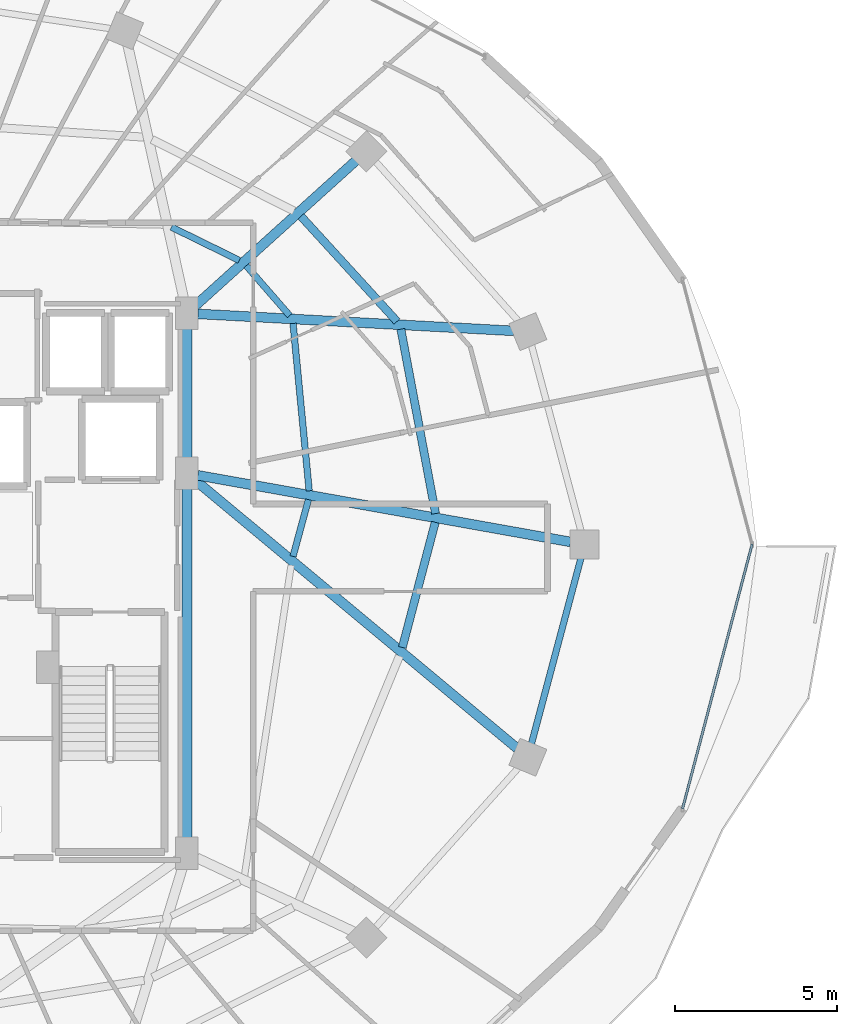
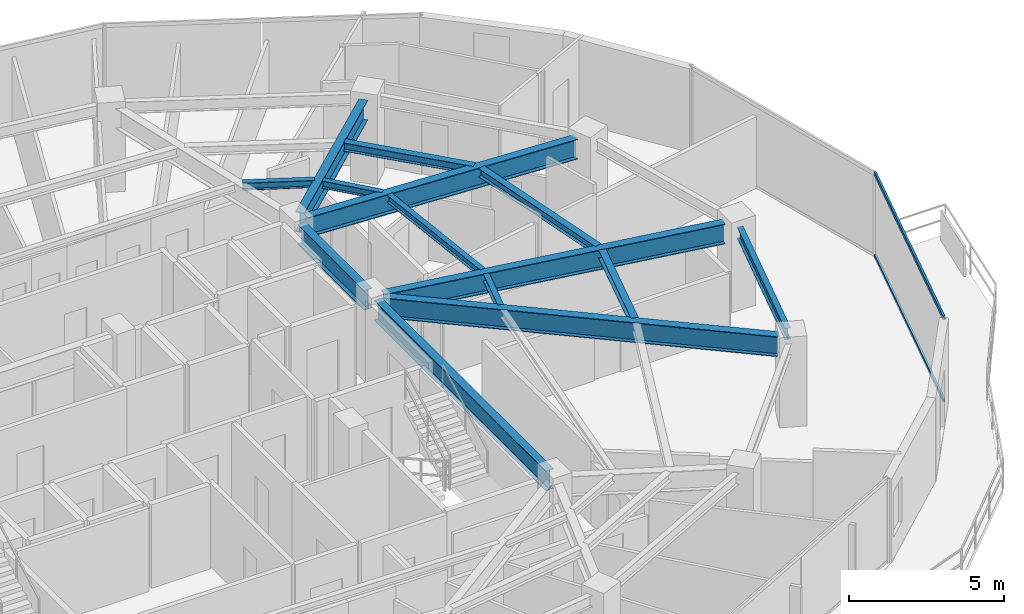
# One storey, part 14 of 34: 14 beams, 2 members, 1 element without a shape of its own.
"""IFC4 building model written with IfcOpenShell, lengths in metres."""

from ifc_helpers import new_model, si_unit, direction, frame, origin, origin_2d, place, context, subcontext, project, spatial, hollow_rectangle, i_section, extrude, material, material_profile, profile_set, type_object, element, aggregate, save


model = new_model("IFC4")

# Units and contexts
model_context = context("Model", 3, precision=1e-05, world=origin(), true_north=direction((0.0, 1.0)))
body_context = subcontext(model_context, "Body", "Model", "MODEL_VIEW")
ifc_project = project(units=[si_unit("LENGTHUNIT", "METRE"), si_unit("AREAUNIT", "SQUARE_METRE"), si_unit("VOLUMEUNIT", "CUBIC_METRE"), si_unit("PLANEANGLEUNIT", "RADIAN"), si_unit("MASSUNIT", "GRAM", prefix="KILO")], contexts=[model_context])

# Site, building, storey
site_placement = place(None, origin())
site = spatial("IfcSite", under=ifc_project, at=site_placement, CompositionType="ELEMENT")
building_placement = place(site_placement, origin())
building = spatial("IfcBuilding", under=site, at=building_placement, Name="Vorneva Point Tower", CompositionType="ELEMENT")
storey_placement = place(building_placement, frame((0.0, 0.0, 210.75)))
storey = spatial("IfcBuildingStorey", under=building, at=storey_placement, Name="L57", CompositionType="ELEMENT", Elevation=210.75)

# Beams
ifc_material_1 = material(Name="Steel S355", Category="steel")
ifc_material_profile_1 = material_profile(ifc_material_1, i_section(OverallWidth=0.300048828125, OverallDepth=0.7880859375, WebThickness=0.014404296875, FlangeThickness=0.02197265625, at=origin_2d()), Name="80Sh1")
ifc_profile_set_1 = profile_set([ifc_material_profile_1], Name="Steel S355")
beam_type_1 = type_object("IfcBeamType", Name="BM-GRD-80Sh1", PredefinedType="USERDEFINED", material=ifc_profile_set_1)
beam_1_placement = place(storey_placement, frame((60.618896484375, 26.0771484375, 2.89599609375), z_axis=(-0.984378602255, 0.176064668298, 0.0), x_axis=(-0.176064668298, -0.984378602255, 0.0)))
element("IfcBeam", 1, at=beam_1_placement, inside=storey, type_object=beam_type_1, Name="L57 Radial Primary Girder 01", ObjectType="GIRDER", PredefinedType="USERDEFINED", context=body_context, shape_type="SweptSolid", body=[
    extrude(i_section(OverallWidth=0.300048828125, OverallDepth=0.7880859375, WebThickness=0.014404296875, FlangeThickness=0.02197265625, at=origin_2d()), origin(), (0.0, 0.0, 1.0), 11.71728515625),
])
beam_2_placement = place(storey_placement, frame((58.85791015625, 32.605712890625, 2.89599609375), z_axis=(-0.998554028182, 0.053757351146, 0.0), x_axis=(-0.053757351146, -0.998554028182, 0.0)))
element("IfcBeam", 2, at=beam_2_placement, inside=storey, type_object=beam_type_1, Name="L57 Radial Primary Girder 02", ObjectType="GIRDER", PredefinedType="USERDEFINED", context=body_context, shape_type="SweptSolid", body=[
    extrude(i_section(OverallWidth=0.300048828125, OverallDepth=0.7880859375, WebThickness=0.014404296875, FlangeThickness=0.02197265625, at=origin_2d()), origin(), (0.0, 0.0, 1.0), 9.782470703125),
])
beam_3_placement = place(storey_placement, frame((53.973876953125, 37.86865234375, 2.89599609375), z_axis=(-0.742089778537, -0.670300500217, 0.0), x_axis=(0.670300500217, -0.742089778537, 0.0)))
element("IfcBeam", 3, at=beam_3_placement, inside=storey, type_object=beam_type_1, Name="L57 Radial Primary Girder 03", ObjectType="GIRDER", PredefinedType="USERDEFINED", context=body_context, shape_type="SweptSolid", body=[
    extrude(i_section(OverallWidth=0.300048828125, OverallDepth=0.7880859375, WebThickness=0.014404296875, FlangeThickness=0.02197265625, at=origin_2d()), origin(), (0.0, 0.0, 1.0), 6.699462890625),
])
beam_4_placement = place(storey_placement, frame((58.958740234375, 19.697998046875, 2.89599609375), z_axis=(-0.768417564517, 0.639948784311, 0.0), x_axis=(-0.639948784311, -0.768417564517, 0.0)))
element("IfcBeam", 4, at=beam_4_placement, inside=storey, type_object=beam_type_1, Name="L57 Radial Primary Girder 16", ObjectType="GIRDER", PredefinedType="USERDEFINED", context=body_context, shape_type="SweptSolid", body=[
    extrude(i_section(OverallWidth=0.300048828125, OverallDepth=0.7880859375, WebThickness=0.014404296875, FlangeThickness=0.02197265625, at=origin_2d()), origin(), (0.0, 0.0, 1.0), 12.945556640625),
])
beam_5_placement = place(storey_placement, frame((48.75, 16.77001953125, 2.89599609375), z_axis=(0.0, 1.0, 0.0), x_axis=(-1.0, 0.0, 0.0)))
element("IfcBeam", 5, at=beam_5_placement, inside=storey, type_object=beam_type_1, Name="L57 Core Tie Girder CT3", ObjectType="GIRDER", PredefinedType="USERDEFINED", context=body_context, shape_type="SweptSolid", body=[
    extrude(i_section(OverallWidth=0.300048828125, OverallDepth=0.7880859375, WebThickness=0.014404296875, FlangeThickness=0.02197265625, at=origin_2d()), origin(), (0.0, 0.0, 1.0), 11.10986328125),
])
beam_6_placement = place(storey_placement, frame((48.75, 28.52001953125, 2.89599609375), z_axis=(0.0, 1.0, 0.0), x_axis=(-1.0, 0.0, 0.0)))
element("IfcBeam", 6, at=beam_6_placement, inside=storey, type_object=beam_type_1, Name="L57 Core Tie Girder CT4", ObjectType="GIRDER", PredefinedType="USERDEFINED", context=body_context, shape_type="SweptSolid", body=[
    extrude(i_section(OverallWidth=0.300048828125, OverallDepth=0.7880859375, WebThickness=0.014404296875, FlangeThickness=0.02197265625, at=origin_2d()), origin(), (0.0, 0.0, 1.0), 4.31005859375),
])
ifc_material_profile_2 = material_profile(ifc_material_1, i_section(OverallWidth=0.199951171875, OverallDepth=0.291015625, WebThickness=0.008056640625, FlangeThickness=0.010986328125, at=origin_2d()), Name="30Sh1")
ifc_profile_set_2 = profile_set([ifc_material_profile_2], Name="Steel S355")
beam_type_2 = type_object("IfcBeamType", Name="BM-SEC-30Sh1", PredefinedType="BEAM", material=ifc_profile_set_2)
beam_7_placement = place(storey_placement, frame((52.53173828125, 27.65869140625, 3.14453125), z_axis=(-0.095841188908, 0.995396637783, 0.0), x_axis=(-0.995396637783, -0.095841188908, 0.0)))
element("IfcBeam", 7, at=beam_7_placement, inside=storey, type_object=beam_type_2, Name="L57 Secondary Floor Beam 2.01", PredefinedType="BEAM", context=body_context, shape_type="SweptSolid", body=[
    extrude(i_section(OverallWidth=0.199951171875, OverallDepth=0.291015625, WebThickness=0.008056640625, FlangeThickness=0.010986328125, at=origin_2d()), origin(), (0.0, 0.0, 1.0), 5.20166015625),
])
beam_8_placement = place(storey_placement, frame((51.929443359375, 33.077880859375, 3.14453125), z_axis=(-0.657025730744, 0.753868151032, 0.0), x_axis=(-0.753868151032, -0.657025730744, 0.0)))
element("IfcBeam", 8, at=beam_8_placement, inside=storey, type_object=beam_type_2, Name="L57 Secondary Floor Beam 2.02", PredefinedType="BEAM", context=body_context, shape_type="SweptSolid", body=[
    extrude(i_section(OverallWidth=0.199951171875, OverallDepth=0.291015625, WebThickness=0.008056640625, FlangeThickness=0.010986328125, at=origin_2d()), origin(), (0.0, 0.0, 1.0), 2.047119140625),
])
beam_9_placement = place(storey_placement, frame((50.369873046875, 34.785888671875, 3.14453125), z_axis=(-0.897704429199, 0.440598181789, 0.0), x_axis=(-0.440598181789, -0.897704429199, 0.0)))
element("IfcBeam", 9, at=beam_9_placement, inside=storey, type_object=beam_type_2, Name="L57 Secondary Floor Beam 2.03", PredefinedType="BEAM", context=body_context, shape_type="SweptSolid", body=[
    extrude(i_section(OverallWidth=0.199951171875, OverallDepth=0.291015625, WebThickness=0.008056640625, FlangeThickness=0.010986328125, at=origin_2d()), origin(), (0.0, 0.0, 1.0), 2.336669921875),
])
beam_10_placement = place(storey_placement, frame((52.03173828125, 25.63037109375, 3.14453125), z_axis=(0.261948847975, 0.965081758736, 0.0), x_axis=(-0.965081758736, 0.261948847975, 0.0)))
element("IfcBeam", 10, at=beam_10_placement, inside=storey, type_object=beam_type_2, Name="L57 Secondary Floor Beam 2.16", PredefinedType="BEAM", context=body_context, shape_type="SweptSolid", body=[
    extrude(i_section(OverallWidth=0.199951171875, OverallDepth=0.291015625, WebThickness=0.008056640625, FlangeThickness=0.010986328125, at=origin_2d()), origin(), (0.0, 0.0, 1.0), 1.821044921875),
])
ifc_material_profile_3 = material_profile(ifc_material_1, i_section(OverallWidth=0.2490234375, OverallDepth=0.333984375, WebThickness=0.008056640625, FlangeThickness=0.010986328125, at=origin_2d()), Name="35Sh1")
ifc_profile_set_3 = profile_set([ifc_material_profile_3], Name="Steel S355")
beam_type_3 = type_object("IfcBeamType", Name="BM-SEC-35Sh1", PredefinedType="BEAM", material=ifc_profile_set_3)
beam_11_placement = place(storey_placement, frame((56.44091796875, 26.955322265625, 3.123046875), z_axis=(-0.1850300408, 0.982732865026, 0.0), x_axis=(-0.982732865026, -0.1850300408, 0.0)))
element("IfcBeam", 11, at=beam_11_placement, inside=storey, type_object=beam_type_3, Name="L57 Secondary Floor Beam 1.01", PredefinedType="BEAM", context=body_context, shape_type="SweptSolid", body=[
    extrude(i_section(OverallWidth=0.2490234375, OverallDepth=0.333984375, WebThickness=0.008056640625, FlangeThickness=0.010986328125, at=origin_2d()), origin(), (0.0, 0.0, 1.0), 5.804443359375),
])
beam_12_placement = place(storey_placement, frame((55.248291015625, 32.89697265625, 3.123046875), z_axis=(-0.674381040012, 0.738383513407, 0.0), x_axis=(-0.738383513407, -0.674381040012, 0.0)))
element("IfcBeam", 12, at=beam_12_placement, inside=storey, type_object=beam_type_3, Name="L57 Secondary Floor Beam 1.02", PredefinedType="BEAM", context=body_context, shape_type="SweptSolid", body=[
    extrude(i_section(OverallWidth=0.2490234375, OverallDepth=0.333984375, WebThickness=0.008056640625, FlangeThickness=0.010986328125, at=origin_2d()), origin(), (0.0, 0.0, 1.0), 4.40576171875),
])
beam_13_placement = place(storey_placement, frame((55.412841796875, 22.81396484375, 3.123046875), z_axis=(0.254382249657, 0.96710375403, 0.0), x_axis=(-0.96710375403, 0.254382249657, 0.0)))
element("IfcBeam", 13, at=beam_13_placement, inside=storey, type_object=beam_type_3, Name="L57 Secondary Floor Beam 1.16", PredefinedType="BEAM", context=body_context, shape_type="SweptSolid", body=[
    extrude(i_section(OverallWidth=0.2490234375, OverallDepth=0.333984375, WebThickness=0.008056640625, FlangeThickness=0.010986328125, at=origin_2d()), origin(), (0.0, 0.0, 1.0), 4.004150390625),
])
ifc_material_profile_4 = material_profile(ifc_material_1, i_section(OverallWidth=0.198974609375, OverallDepth=0.446044921875, WebThickness=0.008056640625, FlangeThickness=0.011962890625, at=origin_2d()), Name="45B1")
ifc_profile_set_4 = profile_set([ifc_material_profile_4], Name="Steel S355")
beam_type_4 = type_object("IfcBeamType", Name="BM-SPN-45B1", PredefinedType="SPANDREL", material=ifc_profile_set_4)
beam_14_placement = place(storey_placement, frame((59.407470703125, 19.838134765625, 3.06689453125), z_axis=(0.257578258003, 0.966257440336, 0.0), x_axis=(-0.966257440336, 0.257578258003, 0.0)))
element("IfcBeam", 14, at=beam_14_placement, inside=storey, type_object=beam_type_4, Name="L57 Perimeter Spandrel Ring Beam 16", PredefinedType="SPANDREL", context=body_context, shape_type="SweptSolid", body=[
    extrude(i_section(OverallWidth=0.198974609375, OverallDepth=0.446044921875, WebThickness=0.008056640625, FlangeThickness=0.011962890625, at=origin_2d()), origin(), (0.0, 0.0, 1.0), 5.94189453125),
])

# Curtain wall, members
ifc_material_2 = material(Name="Pale anodised aluminium", Category="aluminium")
curtain_wall_type = type_object("IfcCurtainWallType", Name="CW-RES-SYS", PredefinedType="NOTDEFINED", material=ifc_material_2)
curtain_wall_placement = place(storey_placement, origin())
curtain_wall = element("IfcCurtainWall", 15, at=curtain_wall_placement, inside=storey, type_object=curtain_wall_type, Name="L57 Unitised Curtain Wall CW-L57-R01", PredefinedType="NOTDEFINED")
ifc_material_profile_5 = material_profile(ifc_material_2, hollow_rectangle(XDim=0.074951171875, YDim=0.14990234375, WallThickness=0.00390625, at=origin_2d()), Name="AL-TRN 150x75x4")
ifc_profile_set_5 = profile_set([ifc_material_profile_5], Name="Pale anodised aluminium")
member_type = type_object("IfcMemberType", Name="CW-TRN-150", PredefinedType="USERDEFINED", material=ifc_profile_set_5)
member_1_placement = place(storey_placement, frame((64.0810546875, 17.82958984375, 0.02001953125), z_axis=(0.254362431281, 0.967108966742, 0.0), x_axis=(-0.967108966742, 0.254362431281, 0.0)))
member_1 = element("IfcMember", 16, at=member_1_placement, type_object=member_type, Name="CW-L57-R01 Transom 01.1", ObjectType="TRANSOM", PredefinedType="USERDEFINED", context=body_context, shape_type="SweptSolid", body=[
    extrude(hollow_rectangle(XDim=0.074951171875, YDim=0.14990234375, WallThickness=0.00390625, at=origin_2d()), origin(), (0.0, 0.0, 1.0), 8.4482421875),
])
member_2_placement = place(storey_placement, frame((64.0810546875, 17.82958984375, 3.27001953125), z_axis=(0.254362431281, 0.967108966742, 0.0), x_axis=(-0.967108966742, 0.254362431281, 0.0)))
member_2 = element("IfcMember", 17, at=member_2_placement, type_object=member_type, Name="CW-L57-R01 Transom 01.2", ObjectType="TRANSOM", PredefinedType="USERDEFINED", context=body_context, shape_type="SweptSolid", body=[
    extrude(hollow_rectangle(XDim=0.074951171875, YDim=0.14990234375, WallThickness=0.00390625, at=origin_2d()), origin(), (0.0, 0.0, 1.0), 8.4482421875),
])
aggregate(curtain_wall, [member_1, member_2])

save(model, "model.ifc")
